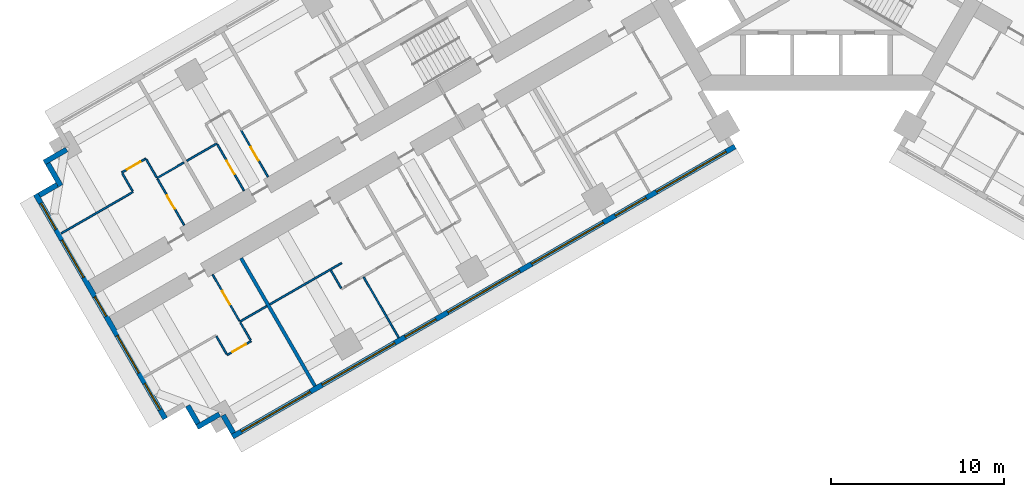
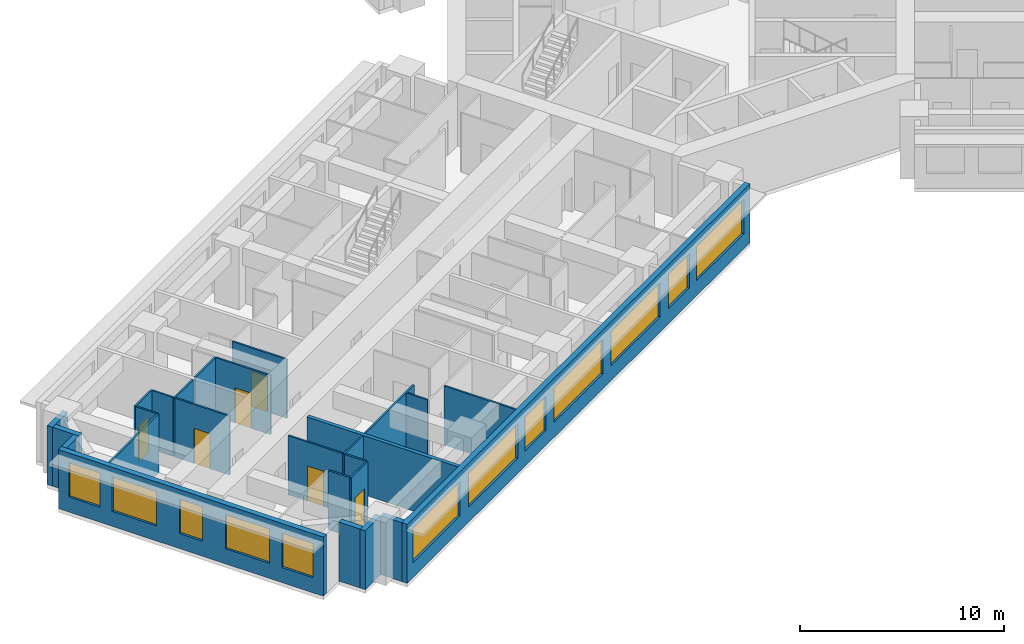
# One storey, part 3 of 16: 26 walls, 12 windows, 6 doors, 18 openings.
"""IFC4 building model written with IfcOpenShell, lengths in metres."""

from ifc_helpers import new_model, si_unit, direction, frame, frame_2d, origin, place, context, subcontext, project, spatial, rectangle, extrude, material, layer, layer_set, type_object, element, fill, save


model = new_model("IFC4")

# Units and contexts
model_context = context("Model", 3, precision=1e-05, world=origin(), true_north=direction((0.0, 1.0)))
body_context = subcontext(model_context, "Body", "Model", "MODEL_VIEW")
ifc_project = project(units=[si_unit("LENGTHUNIT", "METRE"), si_unit("AREAUNIT", "SQUARE_METRE"), si_unit("VOLUMEUNIT", "CUBIC_METRE"), si_unit("PLANEANGLEUNIT", "RADIAN"), si_unit("MASSUNIT", "GRAM", prefix="KILO")], contexts=[model_context])

# Site, building, storey
site_placement = place(None, origin())
site = spatial("IfcSite", under=ifc_project, at=site_placement, CompositionType="ELEMENT")
building_placement = place(site_placement, origin())
building = spatial("IfcBuilding", under=site, at=building_placement, Name="Impinga Residences", CompositionType="ELEMENT")
storey_placement = place(building_placement, frame((0.0, 0.0, 67.25)))
storey = spatial("IfcBuildingStorey", under=building, at=storey_placement, Name="L16", CompositionType="ELEMENT", Elevation=67.25)

# Walls
ifc_material_1 = material(Name="Terracotta rainscreen on blockwork", Category="masonry")
ifc_layer_1 = layer(ifc_material_1, 0.300048828125)
ifc_layer_set_1 = layer_set([ifc_layer_1], Name="EW1 external wall, terracotta rainscreen on blockwork 300")
wall_type_1 = type_object("IfcWallType", Name="EW1 external wall, terracotta rainscreen on blockwork 300", PredefinedType="SOLIDWALL", material=ifc_layer_set_1)
wall_1_placement = place(storey_placement, frame((-33.7685546875, -31.274169921875, 0.0), z_axis=(0.0, 0.0, 1.0), x_axis=(-0.499940577336, 0.866059708757, 0.0)))
element("IfcWall", 1, at=wall_1_placement, inside=storey, type_object=wall_type_1, Name="External wall EW1 L16", PredefinedType="SOLIDWALL", context=body_context, shape_type="SweptSolid", body=[
    extrude(rectangle(XDim=1.195068359375, YDim=0.300048828125, at=frame_2d((0.59765625, 0.0))), origin(), (0.0, 0.0, 1.0), 3.530029296875),
])
wall_2_placement = place(storey_placement, frame((-34.573486328125, -30.18017578125, 0.0), z_axis=(0.0, 0.0, 1.0), x_axis=(-0.866031096941, -0.499990139034, 0.0)))
element("IfcWall", 2, at=wall_2_placement, inside=storey, type_object=wall_type_1, Name="External wall EW1 L16", PredefinedType="SOLIDWALL", context=body_context, shape_type="SweptSolid", body=[
    extrude(rectangle(XDim=1.5, YDim=0.300048828125, at=frame_2d((0.75, 0.0))), origin(), (0.0, 0.0, 1.0), 3.530029296875),
])
wall_3_placement = place(storey_placement, frame((-35.817626953125, -30.72509765625, 0.0), z_axis=(0.0, 0.0, 1.0), x_axis=(-0.499969057507, 0.866043267704, 0.0)))
element("IfcWall", 3, at=wall_3_placement, inside=storey, type_object=wall_type_1, Name="External wall EW1 L16", PredefinedType="SOLIDWALL", context=body_context, shape_type="SweptSolid", body=[
    extrude(rectangle(XDim=1.19970703125, YDim=0.300048828125, at=frame_2d((0.599853515625, 0.0))), origin(), (0.0, 0.0, 1.0), 3.530029296875),
])

# Wall, openings, windows
wall_4_placement = place(storey_placement, frame((-37.716552734375, -30.43603515625, 0.0), z_axis=(0.0, 0.0, 1.0), x_axis=(-0.499997186618, 0.866027028085, 0.0)))
wall_4 = element("IfcWall", 4, at=wall_4_placement, inside=storey, type_object=wall_type_1, Name="External wall EW1 L16", PredefinedType="SOLIDWALL", context=body_context, shape_type="SweptSolid", body=[
    extrude(rectangle(XDim=15.0, YDim=0.300048828125, at=frame_2d((7.5, 0.0))), origin(), (0.0, 0.0, 1.0), 3.530029296875),
])
opening_1_placement = place(wall_4_placement, frame((0.60009765625, 0.0, 0.89990234375)))
opening_1 = element("IfcOpeningElement", 5, at=opening_1_placement, cuts=wall_4, Name="Opening W1", PredefinedType="OPENING", context=body_context, shape_type="SweptSolid", body=[
    extrude(rectangle(XDim=1.75, YDim=2.050048828125, at=frame_2d((0.875, 1.02490234375))), frame((0.0, 0.159912109375, 0.0), z_axis=(0.0, -1.0, 0.0), x_axis=(1.0, 0.0, 0.0)), (0.0, 0.0, 1.0), 0.320068359375),
])
opening_2_placement = place(wall_4_placement, frame((3.050048828125, 0.0, 0.89990234375)))
opening_2 = element("IfcOpeningElement", 6, at=opening_2_placement, cuts=wall_4, Name="Opening W2", PredefinedType="OPENING", context=body_context, shape_type="SweptSolid", body=[
    extrude(rectangle(XDim=2.5, YDim=2.050048828125, at=frame_2d((1.25, 1.02490234375))), frame((0.0, 0.159912109375, 0.0), z_axis=(0.0, -1.0, 0.0), x_axis=(1.0, 0.0, 0.0)), (0.0, 0.0, 1.0), 0.320068359375),
])
opening_3_placement = place(wall_4_placement, frame((6.85009765625, 0.0, 0.89990234375)))
opening_3 = element("IfcOpeningElement", 7, at=opening_3_placement, cuts=wall_4, Name="Opening WE1", PredefinedType="OPENING", context=body_context, shape_type="SweptSolid", body=[
    extrude(rectangle(XDim=1.300048828125, YDim=2.050048828125, at=frame_2d((0.64990234375, 1.02490234375))), frame((0.0, 0.159912109375, 0.0), z_axis=(0.0, -1.0, 0.0), x_axis=(1.0, 0.0, 0.0)), (0.0, 0.0, 1.0), 0.320068359375),
])
opening_4_placement = place(wall_4_placement, frame((9.449951171875, 0.0, 0.89990234375)))
opening_4 = element("IfcOpeningElement", 8, at=opening_4_placement, cuts=wall_4, Name="Opening W2", PredefinedType="OPENING", context=body_context, shape_type="SweptSolid", body=[
    extrude(rectangle(XDim=2.5, YDim=2.050048828125, at=frame_2d((1.25, 1.02490234375))), frame((0.0, 0.159912109375, 0.0), z_axis=(0.0, -1.0, 0.0), x_axis=(1.0, 0.0, 0.0)), (0.0, 0.0, 1.0), 0.320068359375),
])
opening_5_placement = place(wall_4_placement, frame((12.64990234375, 0.0, 0.89990234375)))
opening_5 = element("IfcOpeningElement", 9, at=opening_5_placement, cuts=wall_4, Name="Opening W1", PredefinedType="OPENING", context=body_context, shape_type="SweptSolid", body=[
    extrude(rectangle(XDim=1.75, YDim=2.050048828125, at=frame_2d((0.875, 1.02490234375))), frame((0.0, 0.159912109375, 0.0), z_axis=(0.0, -1.0, 0.0), x_axis=(1.0, 0.0, 0.0)), (0.0, 0.0, 1.0), 0.320068359375),
])
ifc_material_2 = material(Name="Aluminium window, clear double glazing", Category="aluminium")
window_type_1 = type_object("IfcWindowType", Name="W1 ribbon window 1750x2050", PartitioningType="SINGLE_PANEL", PredefinedType="WINDOW", material=ifc_material_2)
window_1_placement = place(opening_1_placement, origin())
window_1 = element("IfcWindow", 10, at=window_1_placement, inside=storey, type_object=window_type_1, Name="Window L16", OverallHeight=2.050048828125, OverallWidth=1.75, PartitioningType="SINGLE_PANEL", PredefinedType="WINDOW", context=body_context, shape_type="SweptSolid", body=[
    extrude(rectangle(XDim=1.75, YDim=2.050048828125, at=frame_2d((0.875, 1.02490234375))), frame((0.0, 0.030029296875, 0.0), z_axis=(0.0, -1.0, 0.0), x_axis=(1.0, 0.0, 0.0)), (0.0, 0.0, 1.0), 0.06005859375),
])
fill(opening_1, window_1)
window_2_placement = place(opening_5_placement, origin())
window_2 = element("IfcWindow", 11, at=window_2_placement, inside=storey, type_object=window_type_1, Name="Window L16", OverallHeight=2.050048828125, OverallWidth=1.75, PartitioningType="SINGLE_PANEL", PredefinedType="WINDOW", context=body_context, shape_type="SweptSolid", body=[
    extrude(rectangle(XDim=1.75, YDim=2.050048828125, at=frame_2d((0.875, 1.02490234375))), frame((0.0, 0.030029296875, 0.0), z_axis=(0.0, -1.0, 0.0), x_axis=(1.0, 0.0, 0.0)), (0.0, 0.0, 1.0), 0.06005859375),
])
fill(opening_5, window_2)
window_type_2 = type_object("IfcWindowType", Name="W2 ribbon window 2500x2050", PartitioningType="SINGLE_PANEL", PredefinedType="WINDOW", material=ifc_material_2)
window_3_placement = place(opening_2_placement, origin())
window_3 = element("IfcWindow", 12, at=window_3_placement, inside=storey, type_object=window_type_2, Name="Window L16", OverallHeight=2.050048828125, OverallWidth=2.5, PartitioningType="SINGLE_PANEL", PredefinedType="WINDOW", context=body_context, shape_type="SweptSolid", body=[
    extrude(rectangle(XDim=2.5, YDim=2.050048828125, at=frame_2d((1.25, 1.02490234375))), frame((0.0, 0.030029296875, 0.0), z_axis=(0.0, -1.0, 0.0), x_axis=(1.0, 0.0, 0.0)), (0.0, 0.0, 1.0), 0.06005859375),
])
fill(opening_2, window_3)
window_4_placement = place(opening_4_placement, origin())
window_4 = element("IfcWindow", 13, at=window_4_placement, inside=storey, type_object=window_type_2, Name="Window L16", OverallHeight=2.050048828125, OverallWidth=2.5, PartitioningType="SINGLE_PANEL", PredefinedType="WINDOW", context=body_context, shape_type="SweptSolid", body=[
    extrude(rectangle(XDim=2.5, YDim=2.050048828125, at=frame_2d((1.25, 1.02490234375))), frame((0.0, 0.030029296875, 0.0), z_axis=(0.0, -1.0, 0.0), x_axis=(1.0, 0.0, 0.0)), (0.0, 0.0, 1.0), 0.06005859375),
])
fill(opening_4, window_4)
window_type_3 = type_object("IfcWindowType", Name="WE1 corridor window 1300x2050", PartitioningType="SINGLE_PANEL", PredefinedType="WINDOW", material=ifc_material_2)
window_5_placement = place(opening_3_placement, origin())
window_5 = element("IfcWindow", 14, at=window_5_placement, inside=storey, type_object=window_type_3, Name="Window L16", OverallHeight=2.050048828125, OverallWidth=1.300048828125, PartitioningType="SINGLE_PANEL", PredefinedType="WINDOW", context=body_context, shape_type="SweptSolid", body=[
    extrude(rectangle(XDim=1.300048828125, YDim=2.050048828125, at=frame_2d((0.64990234375, 1.02490234375))), frame((0.0, 0.030029296875, 0.0), z_axis=(0.0, -1.0, 0.0), x_axis=(1.0, 0.0, 0.0)), (0.0, 0.0, 1.0), 0.06005859375),
])
fill(opening_3, window_5)

# Walls
wall_5_placement = place(storey_placement, frame((-45.01171875, -17.50048828125, 0.0), z_axis=(0.0, 0.0, 1.0), x_axis=(0.866059708757, 0.499940577336, 0.0)))
element("IfcWall", 15, at=wall_5_placement, inside=storey, type_object=wall_type_1, Name="External wall EW1 L16", PredefinedType="SOLIDWALL", context=body_context, shape_type="SweptSolid", body=[
    extrude(rectangle(XDim=1.195068359375, YDim=0.300048828125, at=frame_2d((0.59765625, 0.0))), origin(), (0.0, 0.0, 1.0), 3.530029296875),
])
for number, where, z_axis, x_axis, name in (
    (16, (-43.767578125, -16.955322265625, 0.0), (0.0, 0.0, 1.0), (-0.499990139034, 0.866031096941, 0.0), "External wall EW1 L16"),
    (17, (-44.722412109375, -15.6015625, 0.0), (0.0, 0.0, 1.0), (0.866031096941, 0.499990139034, 0.0), "External wall EW1 L16"),
):
    element("IfcWall", number, at=place(storey_placement, frame(where, z_axis=z_axis, x_axis=x_axis)), inside=storey, type_object=wall_type_1, Name=name, PredefinedType="SOLIDWALL", context=body_context, shape_type="SweptSolid", body=[
        extrude(rectangle(XDim=1.5, YDim=0.300048828125, at=frame_2d((0.75, 0.0))), origin(), (0.0, 0.0, 1.0), 3.530029296875),
    ])

# Wall, openings, windows
wall_6_placement = place(storey_placement, frame((-4.72509765625, -14.67919921875, 0.0), z_axis=(0.0, 0.0, 1.0), x_axis=(-0.866024291668, -0.500001926238, 0.0)))
wall_6 = element("IfcWall", 18, at=wall_6_placement, inside=storey, type_object=wall_type_1, Name="External wall EW1 L16", PredefinedType="SOLIDWALL", context=body_context, shape_type="SweptSolid", body=[
    extrude(rectangle(XDim=33.599853515625, YDim=0.300048828125, at=frame_2d((16.7998046875, 0.0))), origin(), (0.0, 0.0, 1.0), 3.530029296875),
])
opening_6_placement = place(wall_6_placement, frame((0.60009765625, 0.0, 0.89990234375)))
opening_6 = element("IfcOpeningElement", 19, at=opening_6_placement, cuts=wall_6, Name="Opening W10", PredefinedType="OPENING", context=body_context, shape_type="SweptSolid", body=[
    extrude(rectangle(XDim=4.64990234375, YDim=2.050048828125, at=frame_2d((2.324951171875, 1.02490234375))), frame((0.0, 0.159912109375, 0.0), z_axis=(0.0, -1.0, 0.0), x_axis=(1.0, 0.0, 0.0)), (0.0, 0.0, 1.0), 0.320068359375),
])
opening_7_placement = place(wall_6_placement, frame((5.949951171875, 0.0, 0.89990234375)))
opening_7 = element("IfcOpeningElement", 20, at=opening_7_placement, cuts=wall_6, Name="Opening W14", PredefinedType="OPENING", context=body_context, shape_type="SweptSolid", body=[
    extrude(rectangle(XDim=2.050048828125, YDim=2.050048828125, at=frame_2d((1.02490234375, 1.02490234375))), frame((0.0, 0.159912109375, 0.0), z_axis=(0.0, -1.0, 0.0), x_axis=(1.0, 0.0, 0.0)), (0.0, 0.0, 1.0), 0.320068359375),
])
opening_8_placement = place(wall_6_placement, frame((8.800048828125, 0.0, 0.89990234375)))
opening_8 = element("IfcOpeningElement", 21, at=opening_8_placement, cuts=wall_6, Name="Opening W8", PredefinedType="OPENING", context=body_context, shape_type="SweptSolid", body=[
    extrude(rectangle(XDim=4.800048828125, YDim=2.050048828125, at=frame_2d((2.39990234375, 1.02490234375))), frame((0.0, 0.159912109375, 0.0), z_axis=(0.0, -1.0, 0.0), x_axis=(1.0, 0.0, 0.0)), (0.0, 0.0, 1.0), 0.320068359375),
])
opening_9_placement = place(wall_6_placement, frame((14.39990234375, 0.0, 0.89990234375)))
opening_9 = element("IfcOpeningElement", 22, at=opening_9_placement, cuts=wall_6, Name="Opening W8", PredefinedType="OPENING", context=body_context, shape_type="SweptSolid", body=[
    extrude(rectangle(XDim=4.800048828125, YDim=2.050048828125, at=frame_2d((2.39990234375, 1.02490234375))), frame((0.0, 0.159912109375, 0.0), z_axis=(0.0, -1.0, 0.0), x_axis=(1.0, 0.0, 0.0)), (0.0, 0.0, 1.0), 0.320068359375),
])
opening_10_placement = place(wall_6_placement, frame((20.0, 0.0, 0.89990234375)))
opening_10 = element("IfcOpeningElement", 23, at=opening_10_placement, cuts=wall_6, Name="Opening W14", PredefinedType="OPENING", context=body_context, shape_type="SweptSolid", body=[
    extrude(rectangle(XDim=2.050048828125, YDim=2.050048828125, at=frame_2d((1.02490234375, 1.02490234375))), frame((0.0, 0.159912109375, 0.0), z_axis=(0.0, -1.0, 0.0), x_axis=(1.0, 0.0, 0.0)), (0.0, 0.0, 1.0), 0.320068359375),
])
opening_11_placement = place(wall_6_placement, frame((22.75, 0.0, 0.89990234375)))
opening_11 = element("IfcOpeningElement", 24, at=opening_11_placement, cuts=wall_6, Name="Opening W6", PredefinedType="OPENING", context=body_context, shape_type="SweptSolid", body=[
    extrude(rectangle(XDim=4.85009765625, YDim=2.050048828125, at=frame_2d((2.425048828125, 1.02490234375))), frame((0.0, 0.159912109375, 0.0), z_axis=(0.0, -1.0, 0.0), x_axis=(1.0, 0.0, 0.0)), (0.0, 0.0, 1.0), 0.320068359375),
])
opening_12_placement = place(wall_6_placement, frame((28.39990234375, 0.0, 0.89990234375)))
opening_12 = element("IfcOpeningElement", 25, at=opening_12_placement, cuts=wall_6, Name="Opening W3", PredefinedType="OPENING", context=body_context, shape_type="SweptSolid", body=[
    extrude(rectangle(XDim=4.60009765625, YDim=2.050048828125, at=frame_2d((2.300048828125, 1.02490234375))), frame((0.0, 0.159912109375, 0.0), z_axis=(0.0, -1.0, 0.0), x_axis=(1.0, 0.0, 0.0)), (0.0, 0.0, 1.0), 0.320068359375),
])
window_type_4 = type_object("IfcWindowType", Name="W10 ribbon window 4650x2050", PartitioningType="SINGLE_PANEL", PredefinedType="WINDOW", material=ifc_material_2)
window_6_placement = place(opening_6_placement, origin())
window_6 = element("IfcWindow", 26, at=window_6_placement, inside=storey, type_object=window_type_4, Name="Window L16", OverallHeight=2.050048828125, OverallWidth=4.64990234375, PartitioningType="SINGLE_PANEL", PredefinedType="WINDOW", context=body_context, shape_type="SweptSolid", body=[
    extrude(rectangle(XDim=4.64990234375, YDim=2.050048828125, at=frame_2d((2.324951171875, 1.02490234375))), frame((0.0, 0.030029296875, 0.0), z_axis=(0.0, -1.0, 0.0), x_axis=(1.0, 0.0, 0.0)), (0.0, 0.0, 1.0), 0.06005859375),
])
fill(opening_6, window_6)
window_type_5 = type_object("IfcWindowType", Name="W14 ribbon window 2050x2050", PartitioningType="SINGLE_PANEL", PredefinedType="WINDOW", material=ifc_material_2)
window_7_placement = place(opening_7_placement, origin())
window_7 = element("IfcWindow", 27, at=window_7_placement, inside=storey, type_object=window_type_5, Name="Window L16", OverallHeight=2.050048828125, OverallWidth=2.050048828125, PartitioningType="SINGLE_PANEL", PredefinedType="WINDOW", context=body_context, shape_type="SweptSolid", body=[
    extrude(rectangle(XDim=2.050048828125, YDim=2.050048828125, at=frame_2d((1.02490234375, 1.02490234375))), frame((0.0, 0.030029296875, 0.0), z_axis=(0.0, -1.0, 0.0), x_axis=(1.0, 0.0, 0.0)), (0.0, 0.0, 1.0), 0.06005859375),
])
fill(opening_7, window_7)
window_8_placement = place(opening_10_placement, origin())
window_8 = element("IfcWindow", 28, at=window_8_placement, inside=storey, type_object=window_type_5, Name="Window L16", OverallHeight=2.050048828125, OverallWidth=2.050048828125, PartitioningType="SINGLE_PANEL", PredefinedType="WINDOW", context=body_context, shape_type="SweptSolid", body=[
    extrude(rectangle(XDim=2.050048828125, YDim=2.050048828125, at=frame_2d((1.02490234375, 1.02490234375))), frame((0.0, 0.030029296875, 0.0), z_axis=(0.0, -1.0, 0.0), x_axis=(1.0, 0.0, 0.0)), (0.0, 0.0, 1.0), 0.06005859375),
])
fill(opening_10, window_8)
window_type_6 = type_object("IfcWindowType", Name="W3 ribbon window 4600x2050", PartitioningType="SINGLE_PANEL", PredefinedType="WINDOW", material=ifc_material_2)
window_9_placement = place(opening_12_placement, origin())
window_9 = element("IfcWindow", 29, at=window_9_placement, inside=storey, type_object=window_type_6, Name="Window L16", OverallHeight=2.050048828125, OverallWidth=4.60009765625, PartitioningType="SINGLE_PANEL", PredefinedType="WINDOW", context=body_context, shape_type="SweptSolid", body=[
    extrude(rectangle(XDim=4.60009765625, YDim=2.050048828125, at=frame_2d((2.300048828125, 1.02490234375))), frame((0.0, 0.030029296875, 0.0), z_axis=(0.0, -1.0, 0.0), x_axis=(1.0, 0.0, 0.0)), (0.0, 0.0, 1.0), 0.06005859375),
])
fill(opening_12, window_9)
window_type_7 = type_object("IfcWindowType", Name="W6 ribbon window 4850x2050", PartitioningType="SINGLE_PANEL", PredefinedType="WINDOW", material=ifc_material_2)
window_10_placement = place(opening_11_placement, origin())
window_10 = element("IfcWindow", 30, at=window_10_placement, inside=storey, type_object=window_type_7, Name="Window L16", OverallHeight=2.050048828125, OverallWidth=4.85009765625, PartitioningType="SINGLE_PANEL", PredefinedType="WINDOW", context=body_context, shape_type="SweptSolid", body=[
    extrude(rectangle(XDim=4.85009765625, YDim=2.050048828125, at=frame_2d((2.425048828125, 1.02490234375))), frame((0.0, 0.030029296875, 0.0), z_axis=(0.0, -1.0, 0.0), x_axis=(1.0, 0.0, 0.0)), (0.0, 0.0, 1.0), 0.06005859375),
])
fill(opening_11, window_10)
window_type_8 = type_object("IfcWindowType", Name="W8 ribbon window 4800x2050", PartitioningType="SINGLE_PANEL", PredefinedType="WINDOW", material=ifc_material_2)
window_11_placement = place(opening_8_placement, origin())
window_11 = element("IfcWindow", 31, at=window_11_placement, inside=storey, type_object=window_type_8, Name="Window L16", OverallHeight=2.050048828125, OverallWidth=4.800048828125, PartitioningType="SINGLE_PANEL", PredefinedType="WINDOW", context=body_context, shape_type="SweptSolid", body=[
    extrude(rectangle(XDim=4.800048828125, YDim=2.050048828125, at=frame_2d((2.39990234375, 1.02490234375))), frame((0.0, 0.030029296875, 0.0), z_axis=(0.0, -1.0, 0.0), x_axis=(1.0, 0.0, 0.0)), (0.0, 0.0, 1.0), 0.06005859375),
])
fill(opening_8, window_11)
window_12_placement = place(opening_9_placement, origin())
window_12 = element("IfcWindow", 32, at=window_12_placement, inside=storey, type_object=window_type_8, Name="Window L16", OverallHeight=2.050048828125, OverallWidth=4.800048828125, PartitioningType="SINGLE_PANEL", PredefinedType="WINDOW", context=body_context, shape_type="SweptSolid", body=[
    extrude(rectangle(XDim=4.800048828125, YDim=2.050048828125, at=frame_2d((2.39990234375, 1.02490234375))), frame((0.0, 0.030029296875, 0.0), z_axis=(0.0, -1.0, 0.0), x_axis=(1.0, 0.0, 0.0)), (0.0, 0.0, 1.0), 0.06005859375),
])
fill(opening_9, window_12)

# Walls
ifc_material_3 = material(Name="Gypsum board on steel studs", Category="steel")
ifc_layer_2 = layer(ifc_material_3, 0.10009765625)
ifc_layer_set_2 = layer_set([ifc_layer_2], Name="Gypsum board on steel studs")
wall_type_2 = type_object("IfcWallType", Name="IP1 partition 100", PredefinedType="PARTITIONING", material=ifc_layer_set_2)
wall_7_placement = place(storey_placement, frame((-27.505126953125, -21.422607421875, 0.0), z_axis=(0.0, 0.0, 1.0), x_axis=(-0.866015339567, -0.500017431331, 0.0)))
element("IfcWall", 33, at=wall_7_placement, inside=storey, type_object=wall_type_2, Name="Partition L16-WA4:DIV1", PredefinedType="PARTITIONING", context=body_context, shape_type="SweptSolid", body=[
    extrude(rectangle(XDim=4.800048828125, YDim=0.10009765625, at=frame_2d((2.39990234375, 0.0))), origin(), (0.0, 0.0, 1.0), 3.530029296875),
])
wall_8_placement = place(storey_placement, frame((-28.129638671875, -21.841064453125, 0.0), z_axis=(0.0, 0.0, 1.0), x_axis=(0.499969057507, -0.866043267704, 0.0)))
element("IfcWall", 34, at=wall_8_placement, inside=storey, type_object=wall_type_2, Name="Partition L16-WA4:SE1", PredefinedType="PARTITIONING", context=body_context, shape_type="SweptSolid", body=[
    extrude(rectangle(XDim=1.19970703125, YDim=0.10009765625, at=frame_2d((0.599853515625, 0.0))), origin(), (0.0, 0.0, 1.0), 3.530029296875),
])
wall_9_placement = place(storey_placement, frame((-26.223876953125, -22.241943359375, 0.0), z_axis=(0.0, 0.0, 1.0), x_axis=(0.499990325971, -0.866030989016, 0.0)))
element("IfcWall", 35, at=wall_9_placement, inside=storey, type_object=wall_type_2, Name="Partition L16-WA4:OB1", PredefinedType="PARTITIONING", context=body_context, shape_type="SweptSolid", body=[
    extrude(rectangle(XDim=4.0498046875, YDim=0.10009765625, at=frame_2d((2.02490234375, 0.0))), origin(), (0.0, 0.0, 1.0), 3.530029296875),
])
wall_10_placement = place(storey_placement, frame((-31.835205078125, -23.922607421875, 0.0), z_axis=(0.0, 0.0, 1.0), x_axis=(-0.865989075817, -0.500062916607, 0.0)))
element("IfcWall", 36, at=wall_10_placement, inside=storey, type_object=wall_type_2, Name="Partition L16-WA5:DIV0", PredefinedType="PARTITIONING", context=body_context, shape_type="SweptSolid", body=[
    extrude(rectangle(XDim=1.800048828125, YDim=0.10009765625, at=frame_2d((0.89990234375, 0.0))), origin(), (0.0, 0.0, 1.0), 3.530029296875),
])

# Wall, opening, door
wall_11_placement = place(storey_placement, frame((-32.744140625, -25.948486328125, 0.0), z_axis=(0.0, 0.0, 1.0), x_axis=(-0.866028054938, -0.499995408039, 0.0)))
wall_11 = element("IfcWall", 37, at=wall_11_placement, inside=storey, type_object=wall_type_2, Name="Partition L16-WA5:STRIP", PredefinedType="PARTITIONING", context=body_context, shape_type="SweptSolid", body=[
    extrude(rectangle(XDim=1.60009765625, YDim=0.10009765625, at=frame_2d((0.800048828125, 0.0))), origin(), (0.0, 0.0, 1.0), 3.530029296875),
])
opening_13_placement = place(wall_11_placement, frame((0.35009765625, 0.0, 0.0)))
opening_13 = element("IfcOpeningElement", 38, at=opening_13_placement, cuts=wall_11, Name="Opening D2", PredefinedType="OPENING", context=body_context, shape_type="SweptSolid", body=[
    extrude(rectangle(XDim=0.89990234375, YDim=2.10009765625, at=frame_2d((0.449951171875, 1.050048828125))), frame((0.0, 0.06005859375, 0.0), z_axis=(0.0, -1.0, 0.0), x_axis=(1.0, 0.0, 0.0)), (0.0, 0.0, 1.0), 0.1201171875),
])
ifc_material_4 = material(Name="Timber door set", Category="wood")
door_type = type_object("IfcDoorType", Name="D2 internal door 900x2100", OperationType="SINGLE_SWING_LEFT", PredefinedType="DOOR", material=ifc_material_4)
door_1_placement = place(opening_13_placement, origin())
door_1 = element("IfcDoor", 39, at=door_1_placement, inside=storey, type_object=door_type, Name="Apartment L16-WA5 room door", OperationType="SINGLE_SWING_LEFT", OverallHeight=2.10009765625, OverallWidth=0.89990234375, PredefinedType="DOOR", context=body_context, shape_type="SweptSolid", body=[
    extrude(rectangle(XDim=0.89990234375, YDim=2.10009765625, at=frame_2d((0.449951171875, 1.050048828125))), frame((0.0, 0.02490234375, 0.0), z_axis=(0.0, -1.0, 0.0), x_axis=(1.0, 0.0, 0.0)), (0.0, 0.0, 1.0), 0.050048828125),
])
fill(opening_13, door_1)

# Walls
for number, where, z_axis, x_axis, name in (
    (40, (-33.369140625, -24.865966796875, 0.0), (0.0, 0.0, 1.0), (0.500033551112, -0.866006032174, 0.0), "Partition L16-WA5:SE0"),
    (41, (-34.7548828125, -25.666015625, 0.0), (0.0, 0.0, 1.0), (0.500033551112, -0.866006032174, 0.0), "Partition L16-WA5:SE1"),
):
    element("IfcWall", number, at=place(storey_placement, frame(where, z_axis=z_axis, x_axis=x_axis)), inside=storey, type_object=wall_type_2, Name=name, PredefinedType="PARTITIONING", context=body_context, shape_type="SweptSolid", body=[
        extrude(rectangle(XDim=1.2001953125, YDim=0.10009765625, at=frame_2d((0.60009765625, 0.0))), origin(), (0.0, 0.0, 1.0), 3.530029296875),
    ])

# Wall, opening, door
wall_12_placement = place(storey_placement, frame((-34.96923828125, -22.0947265625, 0.0), z_axis=(0.0, 0.0, 1.0), x_axis=(0.500026960575, -0.86600983753, 0.0)))
wall_12 = element("IfcWall", 42, at=wall_12_placement, inside=storey, type_object=wall_type_2, Name="Partition L16-WA5:IB1", PredefinedType="PARTITIONING", context=body_context, shape_type="SweptSolid", body=[
    extrude(rectangle(XDim=3.099853515625, YDim=0.10009765625, at=frame_2d((1.5498046875, 0.0))), origin(), (0.0, 0.0, 1.0), 3.530029296875),
])
opening_14_placement = place(wall_12_placement, frame((1.10009765625, 0.0, 0.0)))
opening_14 = element("IfcOpeningElement", 43, at=opening_14_placement, cuts=wall_12, Name="Opening D2", PredefinedType="OPENING", context=body_context, shape_type="SweptSolid", body=[
    extrude(rectangle(XDim=0.89990234375, YDim=2.10009765625, at=frame_2d((0.449951171875, 1.050048828125))), frame((0.0, 0.06005859375, 0.0), z_axis=(0.0, -1.0, 0.0), x_axis=(1.0, 0.0, 0.0)), (0.0, 0.0, 1.0), 0.1201171875),
])
door_2_placement = place(opening_14_placement, origin())
door_2 = element("IfcDoor", 44, at=door_2_placement, inside=storey, type_object=door_type, Name="Apartment L16-WA5 bathroom door", OperationType="SINGLE_SWING_LEFT", OverallHeight=2.10009765625, OverallWidth=0.89990234375, PredefinedType="DOOR", context=body_context, shape_type="SweptSolid", body=[
    extrude(rectangle(XDim=0.89990234375, YDim=2.10009765625, at=frame_2d((0.449951171875, 1.050048828125))), frame((0.0, 0.02490234375, 0.0), z_axis=(0.0, -1.0, 0.0), x_axis=(1.0, 0.0, 0.0)), (0.0, 0.0, 1.0), 0.050048828125),
])
fill(opening_14, door_2)

# Wall
wall_13_placement = place(storey_placement, frame((-34.72998046875, -14.5087890625, 0.0), z_axis=(0.0, 0.0, 1.0), x_axis=(-0.866041268327, -0.499972520799, 0.0)))
element("IfcWall", 45, at=wall_13_placement, inside=storey, type_object=wall_type_2, Name="Partition L16-WF3:DIV1", PredefinedType="PARTITIONING", context=body_context, shape_type="SweptSolid", body=[
    extrude(rectangle(XDim=2.0, YDim=0.10009765625, at=frame_2d((1.0, 0.0))), origin(), (0.0, 0.0, 1.0), 3.530029296875),
])

# Wall, opening, door
wall_14_placement = place(storey_placement, frame((-31.76953125, -16.436767578125, 0.0), z_axis=(0.0, 0.0, 1.0), x_axis=(-0.499967891604, 0.866043940782, 0.0)))
wall_14 = element("IfcWall", 46, at=wall_14_placement, inside=storey, type_object=wall_type_2, Name="Partition L16-WF3:IB1", PredefinedType="PARTITIONING", context=body_context, shape_type="SweptSolid", body=[
    extrude(rectangle(XDim=3.099853515625, YDim=0.10009765625, at=frame_2d((1.5498046875, 0.0))), origin(), (0.0, 0.0, 1.0), 3.530029296875),
])
opening_15_placement = place(wall_14_placement, frame((1.10009765625, 0.0, 0.0)))
opening_15 = element("IfcOpeningElement", 47, at=opening_15_placement, cuts=wall_14, Name="Opening D2", PredefinedType="OPENING", context=body_context, shape_type="SweptSolid", body=[
    extrude(rectangle(XDim=0.89990234375, YDim=2.10009765625, at=frame_2d((0.449951171875, 1.050048828125))), frame((0.0, 0.06005859375, 0.0), z_axis=(0.0, -1.0, 0.0), x_axis=(1.0, 0.0, 0.0)), (0.0, 0.0, 1.0), 0.1201171875),
])
door_3_placement = place(opening_15_placement, origin())
door_3 = element("IfcDoor", 48, at=door_3_placement, inside=storey, type_object=door_type, Name="Apartment L16-WF3 bathroom door", OperationType="SINGLE_SWING_LEFT", OverallHeight=2.10009765625, OverallWidth=0.89990234375, PredefinedType="DOOR", context=body_context, shape_type="SweptSolid", body=[
    extrude(rectangle(XDim=0.89990234375, YDim=2.10009765625, at=frame_2d((0.449951171875, 1.050048828125))), frame((0.0, 0.02490234375, 0.0), z_axis=(0.0, -1.0, 0.0), x_axis=(1.0, 0.0, 0.0)), (0.0, 0.0, 1.0), 0.050048828125),
])
fill(opening_15, door_3)

wall_15_placement = place(storey_placement, frame((-33.155029296875, -17.23681640625, 0.0), z_axis=(0.0, 0.0, 1.0), x_axis=(-0.500026960575, 0.86600983753, 0.0)))
wall_15 = element("IfcWall", 49, at=wall_15_placement, inside=storey, type_object=wall_type_2, Name="Partition L16-WF3:IB2", PredefinedType="PARTITIONING", context=body_context, shape_type="SweptSolid", body=[
    extrude(rectangle(XDim=3.099853515625, YDim=0.10009765625, at=frame_2d((1.5498046875, 0.0))), origin(), (0.0, 0.0, 1.0), 3.530029296875),
])
opening_16_placement = place(wall_15_placement, frame((1.10009765625, 0.0, 0.0)))
opening_16 = element("IfcOpeningElement", 50, at=opening_16_placement, cuts=wall_15, Name="Opening D2", PredefinedType="OPENING", context=body_context, shape_type="SweptSolid", body=[
    extrude(rectangle(XDim=0.89990234375, YDim=2.10009765625, at=frame_2d((0.449951171875, 1.050048828125))), frame((0.0, 0.06005859375, 0.0), z_axis=(0.0, -1.0, 0.0), x_axis=(1.0, 0.0, 0.0)), (0.0, 0.0, 1.0), 0.1201171875),
])
door_4_placement = place(opening_16_placement, origin())
door_4 = element("IfcDoor", 51, at=door_4_placement, inside=storey, type_object=door_type, Name="Apartment L16-WF3 WC door", OperationType="SINGLE_SWING_LEFT", OverallHeight=2.10009765625, OverallWidth=0.89990234375, PredefinedType="DOOR", context=body_context, shape_type="SweptSolid", body=[
    extrude(rectangle(XDim=0.89990234375, YDim=2.10009765625, at=frame_2d((0.449951171875, 1.050048828125))), frame((0.0, 0.02490234375, 0.0), z_axis=(0.0, -1.0, 0.0), x_axis=(1.0, 0.0, 0.0)), (0.0, 0.0, 1.0), 0.050048828125),
])
fill(opening_16, door_4)

# Walls
wall_16_placement = place(storey_placement, frame((-36.63525390625, -15.60888671875, 0.0), z_axis=(0.0, 0.0, 1.0), x_axis=(-0.866047807691, -0.499961193289, 0.0)))
element("IfcWall", 52, at=wall_16_placement, inside=storey, type_object=wall_type_2, Name="Partition L16-WF4:DIV0", PredefinedType="PARTITIONING", context=body_context, shape_type="SweptSolid", body=[
    extrude(rectangle(XDim=1.800048828125, YDim=0.10009765625, at=frame_2d((0.89990234375, 0.0))), origin(), (0.0, 0.0, 1.0), 3.530029296875),
])
wall_17_placement = place(storey_placement, frame((-39.579833984375, -17.308837890625, 0.0), z_axis=(0.0, 0.0, 1.0), x_axis=(-0.866037363387, -0.499979284789, 0.0)))
element("IfcWall", 53, at=wall_17_placement, inside=storey, type_object=wall_type_2, Name="Partition L16-WF4:DIV1", PredefinedType="PARTITIONING", context=body_context, shape_type="SweptSolid", body=[
    extrude(rectangle(XDim=4.800048828125, YDim=0.10009765625, at=frame_2d((2.39990234375, 0.0))), origin(), (0.0, 0.0, 1.0), 3.530029296875),
])

# Wall, opening, door
wall_18_placement = place(storey_placement, frame((-38.84423828125, -15.383056640625, 0.0), z_axis=(0.0, 0.0, 1.0), x_axis=(-0.865989903783, -0.500061482766, 0.0)))
wall_18 = element("IfcWall", 54, at=wall_18_placement, inside=storey, type_object=wall_type_2, Name="Partition L16-WF4:STRIP", PredefinedType="PARTITIONING", context=body_context, shape_type="SweptSolid", body=[
    extrude(rectangle(XDim=1.599853515625, YDim=0.10009765625, at=frame_2d((0.7998046875, 0.0))), origin(), (0.0, 0.0, 1.0), 3.530029296875),
])
opening_17_placement = place(wall_18_placement, frame((0.35009765625, 0.0, 0.0)))
opening_17 = element("IfcOpeningElement", 55, at=opening_17_placement, cuts=wall_18, Name="Opening D2", PredefinedType="OPENING", context=body_context, shape_type="SweptSolid", body=[
    extrude(rectangle(XDim=0.89990234375, YDim=2.10009765625, at=frame_2d((0.449951171875, 1.050048828125))), frame((0.0, 0.06005859375, 0.0), z_axis=(0.0, -1.0, 0.0), x_axis=(1.0, 0.0, 0.0)), (0.0, 0.0, 1.0), 0.1201171875),
])
door_5_placement = place(opening_17_placement, origin())
door_5 = element("IfcDoor", 56, at=door_5_placement, inside=storey, type_object=door_type, Name="Apartment L16-WF4 room door", OperationType="SINGLE_SWING_LEFT", OverallHeight=2.10009765625, OverallWidth=0.89990234375, PredefinedType="DOOR", context=body_context, shape_type="SweptSolid", body=[
    extrude(rectangle(XDim=0.89990234375, YDim=2.10009765625, at=frame_2d((0.449951171875, 1.050048828125))), frame((0.0, 0.02490234375, 0.0), z_axis=(0.0, -1.0, 0.0), x_axis=(1.0, 0.0, 0.0)), (0.0, 0.0, 1.0), 0.050048828125),
])
fill(opening_17, door_5)

# Walls
wall_19_placement = place(storey_placement, frame((-38.21923828125, -16.465576171875, 0.0), z_axis=(0.0, 0.0, 1.0), x_axis=(-0.499880961361, 0.866094119867, 0.0)))
element("IfcWall", 57, at=wall_19_placement, inside=storey, type_object=wall_type_2, Name="Partition L16-WF4:SE0", PredefinedType="PARTITIONING", context=body_context, shape_type="SweptSolid", body=[
    extrude(rectangle(XDim=1.199951171875, YDim=0.10009765625, at=frame_2d((0.60009765625, 0.0))), origin(), (0.0, 0.0, 1.0), 3.530029296875),
])
wall_20_placement = place(storey_placement, frame((-39.604736328125, -17.265625, 0.0), z_axis=(0.0, 0.0, 1.0), x_axis=(-0.500033551112, 0.866006032174, 0.0)))
element("IfcWall", 58, at=wall_20_placement, inside=storey, type_object=wall_type_2, Name="Partition L16-WF4:SE1", PredefinedType="PARTITIONING", context=body_context, shape_type="SweptSolid", body=[
    extrude(rectangle(XDim=1.2001953125, YDim=0.10009765625, at=frame_2d((0.60009765625, 0.0))), origin(), (0.0, 0.0, 1.0), 3.530029296875),
])

# Wall, opening, door
wall_21_placement = place(storey_placement, frame((-36.619140625, -19.23681640625, 0.0), z_axis=(0.0, 0.0, 1.0), x_axis=(-0.500026960575, 0.86600983753, 0.0)))
wall_21 = element("IfcWall", 59, at=wall_21_placement, inside=storey, type_object=wall_type_2, Name="Partition L16-WF4:IB1", PredefinedType="PARTITIONING", context=body_context, shape_type="SweptSolid", body=[
    extrude(rectangle(XDim=3.099853515625, YDim=0.10009765625, at=frame_2d((1.5498046875, 0.0))), origin(), (0.0, 0.0, 1.0), 3.530029296875),
])
opening_18_placement = place(wall_21_placement, frame((1.10009765625, 0.0, 0.0)))
opening_18 = element("IfcOpeningElement", 60, at=opening_18_placement, cuts=wall_21, Name="Opening D2", PredefinedType="OPENING", context=body_context, shape_type="SweptSolid", body=[
    extrude(rectangle(XDim=0.89990234375, YDim=2.10009765625, at=frame_2d((0.449951171875, 1.050048828125))), frame((0.0, 0.06005859375, 0.0), z_axis=(0.0, -1.0, 0.0), x_axis=(1.0, 0.0, 0.0)), (0.0, 0.0, 1.0), 0.1201171875),
])
door_6_placement = place(opening_18_placement, origin())
door_6 = element("IfcDoor", 61, at=door_6_placement, inside=storey, type_object=door_type, Name="Apartment L16-WF4 bathroom door", OperationType="SINGLE_SWING_LEFT", OverallHeight=2.10009765625, OverallWidth=0.89990234375, PredefinedType="DOOR", context=body_context, shape_type="SweptSolid", body=[
    extrude(rectangle(XDim=0.89990234375, YDim=2.10009765625, at=frame_2d((0.449951171875, 1.050048828125))), frame((0.0, 0.02490234375, 0.0), z_axis=(0.0, -1.0, 0.0), x_axis=(1.0, 0.0, 0.0)), (0.0, 0.0, 1.0), 0.050048828125),
])
fill(opening_18, door_6)

# Wall
ifc_material_5 = material(Name="Concrete blockwork", Category="masonry")
ifc_layer_3 = layer(ifc_material_5, 0.199951171875)
ifc_layer_set_3 = layer_set([ifc_layer_3], Name="PW1 party wall between apartments 200")
wall_type_3 = type_object("IfcWallType", Name="PW1 party wall between apartments 200", PredefinedType="SOLIDWALL", material=ifc_layer_set_3)
wall_22_placement = place(storey_placement, frame((-33.32373046875, -21.144775390625, 0.0), z_axis=(0.0, 0.0, 1.0), x_axis=(0.499990227581, -0.86603104582, 0.0)))
element("IfcWall", 62, at=wall_22_placement, inside=storey, type_object=wall_type_3, Name="Party wall between apartments L16-WA4:PARTY", PredefinedType="SOLIDWALL", context=body_context, shape_type="SweptSolid", body=[
    extrude(rectangle(XDim=8.550048828125, YDim=0.199951171875, at=frame_2d((4.27490234375, 0.0))), origin(), (0.0, 0.0, 1.0), 3.530029296875),
])

save(model, "model.ifc")
